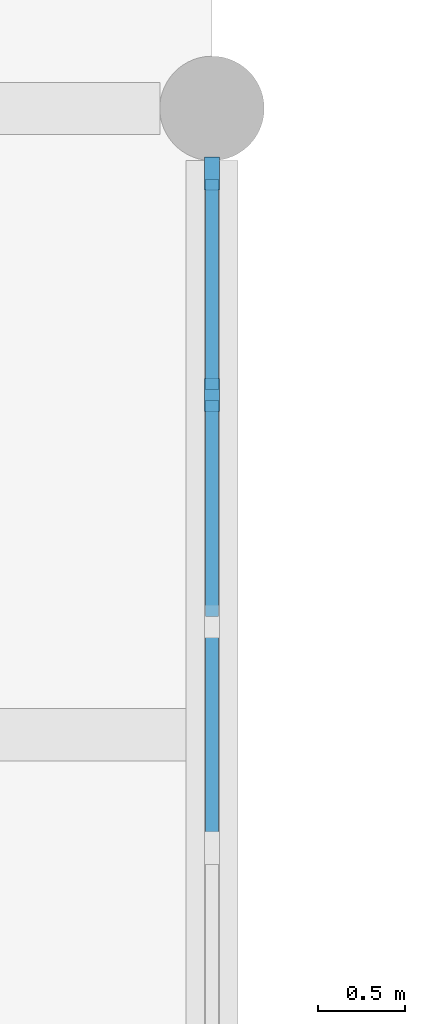
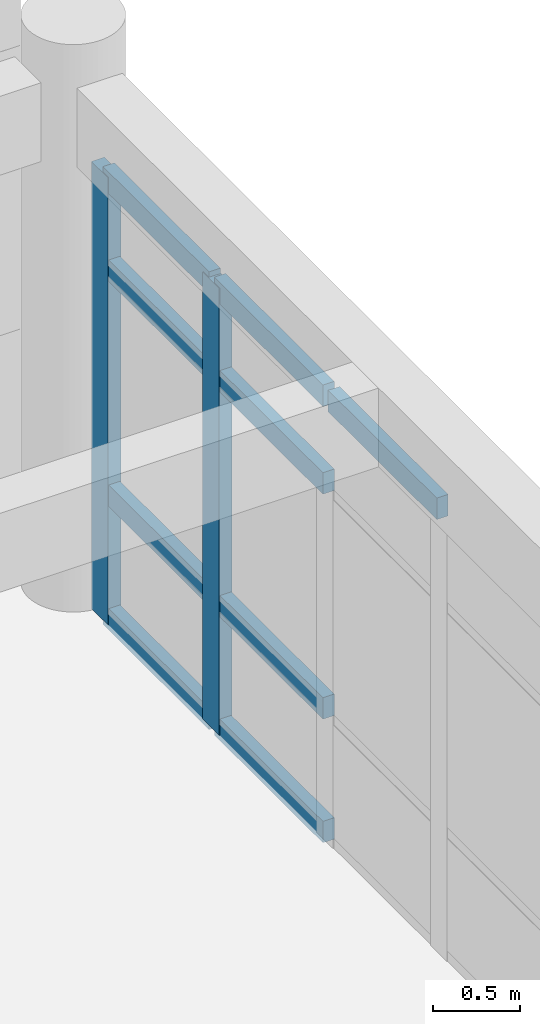
# One storey, part 6 of 16: 11 members, 1 element without a shape of its own.
"""IFC4 building model written with IfcOpenShell, lengths in metres."""

from ifc_helpers import new_model, si_unit, direction, frame, origin, origin_2d, place, context, subcontext, project, spatial, rectangle, extrude, material, layer, layer_set, material_profile, profile_set, type_object, element, aggregate, save


model = new_model("IFC4")

# Units and contexts
model_context = context("Model", 3, precision=1e-05, world=origin(), true_north=direction((0.0, 1.0)))
body_context = subcontext(model_context, "Body", "Model", "MODEL_VIEW")
ifc_project = project(units=[si_unit("LENGTHUNIT", "METRE"), si_unit("AREAUNIT", "SQUARE_METRE"), si_unit("VOLUMEUNIT", "CUBIC_METRE"), si_unit("PLANEANGLEUNIT", "RADIAN"), si_unit("MASSUNIT", "GRAM", prefix="KILO")], contexts=[model_context])

# Site, building, storey
site_placement = place(None, origin())
site = spatial("IfcSite", under=ifc_project, at=site_placement, CompositionType="ELEMENT")
building_placement = place(site_placement, origin())
building = spatial("IfcBuilding", under=site, at=building_placement, Name="Kavelor Marine Aquarium", CompositionType="ELEMENT")
storey_placement = place(building_placement, frame((0.0, 0.0, 21.60009765625)))
storey = spatial("IfcBuildingStorey", under=building, at=storey_placement, Name="L05", CompositionType="ELEMENT", Elevation=21.60009765625)

# Curtain wall, members
ifc_material_1 = material(Name="Thermally Broken Aluminium and Low-E Glass", Category="aluminium")
ifc_layer = layer(ifc_material_1, 0.18798828125)
ifc_layer_set = layer_set([ifc_layer], Name="CW-SYS6")
curtain_wall_type = type_object("IfcCurtainWallType", Name="CW-SYS6", PredefinedType="USERDEFINED", material=ifc_layer_set)
curtain_wall_placement = place(storey_placement, origin())
curtain_wall = element("IfcCurtainWall", 1, at=curtain_wall_placement, inside=storey, type_object=curtain_wall_type, Name="cw:y:L05:14_14", ObjectType="Curtain Wall", PredefinedType="USERDEFINED")
ifc_material_2 = material(Name="Anodised Aluminium Alloy 6063-T6", Category="aluminium")
ifc_material_profile_1 = material_profile(ifc_material_2, rectangle(XDim=0.0849609375, YDim=0.18994140625, at=origin_2d()), Name="CW-MUL 85x190")
ifc_profile_set_1 = profile_set([ifc_material_profile_1], Name="Anodised Aluminium Alloy 6063-T6")
member_type_1 = type_object("IfcMemberType", Name="CWM-3", PredefinedType="MULLION", material=ifc_profile_set_1)
member_1_placement = place(storey_placement, frame((104.0, 109.153076171875, 0.0), z_axis=(0.0, 0.0, 1.0), x_axis=(-1.0, 0.0, 0.0)))
member_1 = element("IfcMember", 2, at=member_1_placement, type_object=member_type_1, Name="CW06 mullion 5", PredefinedType="MULLION", context=body_context, shape_type="SweptSolid", body=[
    extrude(rectangle(XDim=0.0849609375, YDim=0.18994140625, at=origin_2d()), origin(), (0.0, 0.0, 1.0), 3.119873046875),
])
member_2_placement = place(storey_placement, frame((104.0, 110.425048828125, 0.0), z_axis=(0.0, 0.0, 1.0), x_axis=(-1.0, 0.0, 0.0)))
member_2 = element("IfcMember", 3, at=member_2_placement, type_object=member_type_1, Name="CW06 mullion 6", PredefinedType="MULLION", context=body_context, shape_type="SweptSolid", body=[
    extrude(rectangle(XDim=0.0849609375, YDim=0.18994140625, at=origin_2d()), origin(), (0.0, 0.0, 1.0), 3.119873046875),
])
ifc_material_3 = material(Name="Anodised Aluminium Alloy 6063-T6", Category="aluminium")
ifc_material_profile_2 = material_profile(ifc_material_3, rectangle(XDim=0.074951171875, YDim=0.14990234375, at=origin_2d()), Name="CW-TRN 75x150")
ifc_profile_set_2 = profile_set([ifc_material_profile_2], Name="Anodised Aluminium Alloy 6063-T6")
member_type_2 = type_object("IfcMemberType", Name="CWT-1", PredefinedType="USERDEFINED", material=ifc_profile_set_2)
member_3_placement = place(storey_placement, frame((104.0, 106.5791015625, 3.08251953125), z_axis=(0.0, 1.0, 0.0), x_axis=(-1.0, 0.0, 0.0)))
member_3 = element("IfcMember", 4, at=member_3_placement, type_object=member_type_2, Name="CW06 transom 3.4", ObjectType="TRANSOM", PredefinedType="USERDEFINED", context=body_context, shape_type="SweptSolid", body=[
    extrude(rectangle(XDim=0.074951171875, YDim=0.14990234375, at=origin_2d()), origin(), (0.0, 0.0, 1.0), 1.241943359375),
])
member_4_placement = place(storey_placement, frame((104.0, 107.881103515625, 0.037353515625), z_axis=(0.0, 1.0, 0.0), x_axis=(-1.0, 0.0, 0.0)))
member_4 = element("IfcMember", 5, at=member_4_placement, type_object=member_type_2, Name="CW06 transom 4.1", ObjectType="TRANSOM", PredefinedType="USERDEFINED", context=body_context, shape_type="SweptSolid", body=[
    extrude(rectangle(XDim=0.074951171875, YDim=0.14990234375, at=origin_2d()), origin(), (0.0, 0.0, 1.0), 1.241943359375),
])
member_5_placement = place(storey_placement, frame((104.0, 107.881103515625, 0.89990234375), z_axis=(0.0, 1.0, 0.0), x_axis=(-1.0, 0.0, 0.0)))
member_5 = element("IfcMember", 6, at=member_5_placement, type_object=member_type_2, Name="CW06 transom 4.2", ObjectType="TRANSOM", PredefinedType="USERDEFINED", context=body_context, shape_type="SweptSolid", body=[
    extrude(rectangle(XDim=0.074951171875, YDim=0.14990234375, at=origin_2d()), origin(), (0.0, 0.0, 1.0), 1.241943359375),
])
member_6_placement = place(storey_placement, frame((104.0, 107.881103515625, 2.469970703125), z_axis=(0.0, 1.0, 0.0), x_axis=(-1.0, 0.0, 0.0)))
member_6 = element("IfcMember", 7, at=member_6_placement, type_object=member_type_2, Name="CW06 transom 4.3", ObjectType="TRANSOM", PredefinedType="USERDEFINED", context=body_context, shape_type="SweptSolid", body=[
    extrude(rectangle(XDim=0.074951171875, YDim=0.14990234375, at=origin_2d()), origin(), (0.0, 0.0, 1.0), 1.241943359375),
])
member_7_placement = place(storey_placement, frame((104.0, 107.881103515625, 3.08251953125), z_axis=(0.0, 1.0, 0.0), x_axis=(-1.0, 0.0, 0.0)))
member_7 = element("IfcMember", 8, at=member_7_placement, type_object=member_type_2, Name="CW06 transom 4.4", ObjectType="TRANSOM", PredefinedType="USERDEFINED", context=body_context, shape_type="SweptSolid", body=[
    extrude(rectangle(XDim=0.074951171875, YDim=0.14990234375, at=origin_2d()), origin(), (0.0, 0.0, 1.0), 1.241943359375),
])
member_8_placement = place(storey_placement, frame((104.0, 109.18310546875, 0.037353515625), z_axis=(0.0, 1.0, 0.0), x_axis=(-1.0, 0.0, 0.0)))
member_8 = element("IfcMember", 9, at=member_8_placement, type_object=member_type_2, Name="CW06 transom 5.1", ObjectType="TRANSOM", PredefinedType="USERDEFINED", context=body_context, shape_type="SweptSolid", body=[
    extrude(rectangle(XDim=0.074951171875, YDim=0.14990234375, at=origin_2d()), origin(), (0.0, 0.0, 1.0), 1.2119140625),
])
member_9_placement = place(storey_placement, frame((104.0, 109.18310546875, 0.89990234375), z_axis=(0.0, 1.0, 0.0), x_axis=(-1.0, 0.0, 0.0)))
member_9 = element("IfcMember", 10, at=member_9_placement, type_object=member_type_2, Name="CW06 transom 5.2", ObjectType="TRANSOM", PredefinedType="USERDEFINED", context=body_context, shape_type="SweptSolid", body=[
    extrude(rectangle(XDim=0.074951171875, YDim=0.14990234375, at=origin_2d()), origin(), (0.0, 0.0, 1.0), 1.2119140625),
])
member_10_placement = place(storey_placement, frame((104.0, 109.18310546875, 2.469970703125), z_axis=(0.0, 1.0, 0.0), x_axis=(-1.0, 0.0, 0.0)))
member_10 = element("IfcMember", 11, at=member_10_placement, type_object=member_type_2, Name="CW06 transom 5.3", ObjectType="TRANSOM", PredefinedType="USERDEFINED", context=body_context, shape_type="SweptSolid", body=[
    extrude(rectangle(XDim=0.074951171875, YDim=0.14990234375, at=origin_2d()), origin(), (0.0, 0.0, 1.0), 1.2119140625),
])
member_11_placement = place(storey_placement, frame((104.0, 109.18310546875, 3.08251953125), z_axis=(0.0, 1.0, 0.0), x_axis=(-1.0, 0.0, 0.0)))
member_11 = element("IfcMember", 12, at=member_11_placement, type_object=member_type_2, Name="CW06 transom 5.4", ObjectType="TRANSOM", PredefinedType="USERDEFINED", context=body_context, shape_type="SweptSolid", body=[
    extrude(rectangle(XDim=0.074951171875, YDim=0.14990234375, at=origin_2d()), origin(), (0.0, 0.0, 1.0), 1.2119140625),
])
aggregate(curtain_wall, [member_1, member_2, member_3, member_4, member_5, member_6, member_7, member_8, member_9, member_10, member_11])

save(model, "model.ifc")
